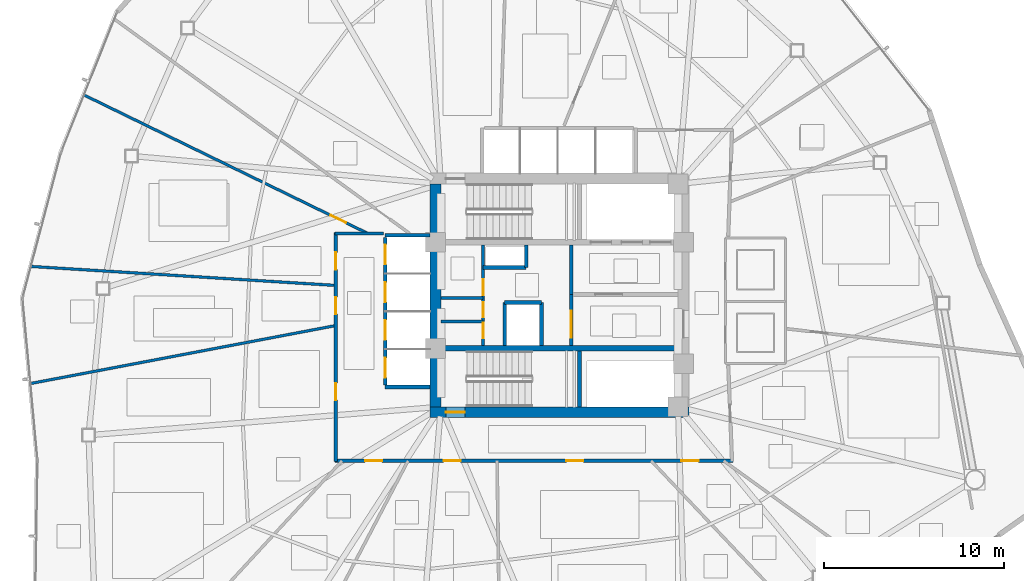
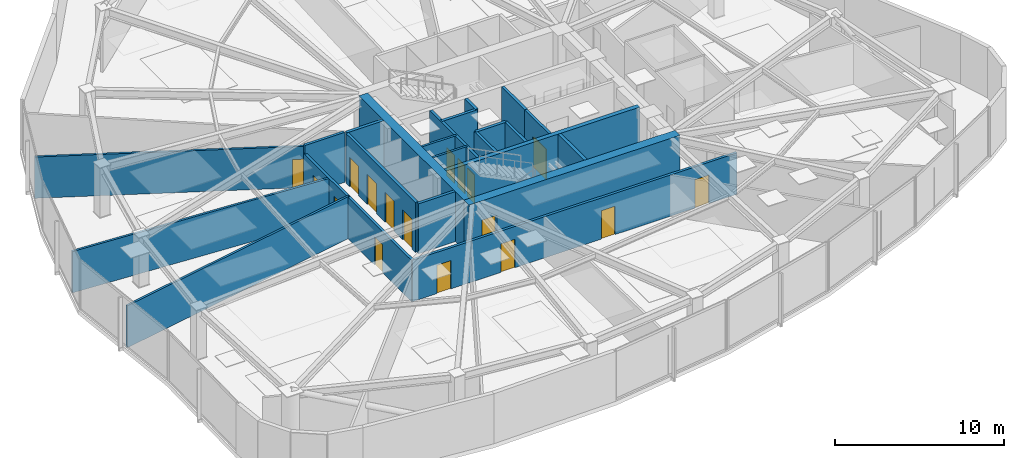
# One storey, part 11 of 17: 23 walls, 17 doors, 17 openings.
"""IFC4 building model written with IfcOpenShell, lengths in metres."""

from ifc_helpers import new_model, si_unit, direction, frame, frame_2d, origin, place, context, subcontext, project, spatial, rectangle, extrude, material, layer, layer_set, type_object, element, fill, save


model = new_model("IFC4")

# Units and contexts
model_context = context("Model", 3, precision=1e-05, world=origin(), true_north=direction((0.0, 1.0)))
body_context = subcontext(model_context, "Body", "Model", "MODEL_VIEW")
ifc_project = project(units=[si_unit("LENGTHUNIT", "METRE"), si_unit("AREAUNIT", "SQUARE_METRE"), si_unit("VOLUMEUNIT", "CUBIC_METRE"), si_unit("PLANEANGLEUNIT", "RADIAN"), si_unit("MASSUNIT", "GRAM", prefix="KILO")], contexts=[model_context])

# Site, building, storey
site_placement = place(None, origin())
site = spatial("IfcSite", under=ifc_project, at=site_placement, CompositionType="ELEMENT")
building_placement = place(site_placement, origin())
building = spatial("IfcBuilding", under=site, at=building_placement, Name="Tavelor Broadcast Tower", CompositionType="ELEMENT")
storey_placement = place(building_placement, frame((0.0, 0.0, 74.39990234375)))
storey = spatial("IfcBuildingStorey", under=building, at=storey_placement, Name="L17", CompositionType="ELEMENT", Elevation=74.39990234375)

# Wall, opening, door
ifc_material_1 = material(Name="Concrete C60/75", Category="concrete")
ifc_layer_1 = layer(ifc_material_1, 0.60009765625)
ifc_layer_set_1 = layer_set([ifc_layer_1], Name="Concrete C60/75")
wall_type_1 = type_object("IfcWallType", Name="Core Shear Wall 600 mm", PredefinedType="SHEAR", material=ifc_layer_set_1)
wall_1_placement = place(storey_placement, frame((42.800048828125, 38.5, 0.0), z_axis=(0.0, 0.0, 1.0), x_axis=(1.0, 0.0, 0.0)))
wall_1 = element("IfcWall", 1, at=wall_1_placement, inside=storey, type_object=wall_type_1, Name="L17 Central Core Shear Wall S", PredefinedType="SHEAR", context=body_context, shape_type="SweptSolid", body=[
    extrude(rectangle(XDim=14.39990234375, YDim=0.60009765625, at=frame_2d((7.199951171875, 0.0))), origin(), (0.0, 0.0, 1.0), 3.60009765625),
])
opening_1_placement = place(wall_1_placement, frame((0.8798828125, 0.0, 0.0)))
opening_1 = element("IfcOpeningElement", 2, at=opening_1_placement, cuts=wall_1, Name="Opening DR11", PredefinedType="OPENING", context=body_context, shape_type="SweptSolid", body=[
    extrude(rectangle(XDim=1.050048828125, YDim=2.199951171875, at=frame_2d((0.52490234375, 1.10009765625))), frame((0.0, 0.31005859375, 0.0), z_axis=(0.0, -1.0, 0.0), x_axis=(1.0, 0.0, 0.0)), (0.0, 0.0, 1.0), 0.6201171875),
])
ifc_material_2 = material(Name="Steel S355", Category="steel")
door_type_1 = type_object("IfcDoorType", Name="Stair Core Fire Escape Door 1050x2200", OperationType="NOTDEFINED", PredefinedType="DOOR", material=ifc_material_2)
door_1_placement = place(opening_1_placement, origin())
door_1 = element("IfcDoor", 3, at=door_1_placement, inside=storey, type_object=door_type_1, Name="L17 Stair ST2 Protected Exit Door", OperationType="SINGLE_SWING_RIGHT", OverallHeight=2.199951171875, OverallWidth=1.050048828125, PredefinedType="DOOR", context=body_context, shape_type="SweptSolid", body=[
    extrude(rectangle(XDim=1.050048828125, YDim=2.199951171875, at=frame_2d((0.52490234375, 1.10009765625))), frame((0.0, 0.02490234375, 0.0), z_axis=(0.0, -1.0, 0.0), x_axis=(1.0, 0.0, 0.0)), (0.0, 0.0, 1.0), 0.050048828125),
])
fill(opening_1, door_1)

# Walls
wall_2_placement = place(storey_placement, frame((43.10009765625, 38.800048828125, 0.0), z_axis=(0.0, 0.0, 1.0), x_axis=(0.0, 1.0, 0.0)))
element("IfcWall", 4, at=wall_2_placement, inside=storey, type_object=wall_type_1, Name="L17 Central Core Shear Wall W", PredefinedType="SHEAR", context=body_context, shape_type="SweptSolid", body=[
    extrude(rectangle(XDim=12.39990234375, YDim=0.60009765625, at=frame_2d((6.199951171875, 0.0))), origin(), (0.0, 0.0, 1.0), 3.60009765625),
])
ifc_layer_2 = layer(ifc_material_1, 0.300048828125)
ifc_layer_set_2 = layer_set([ifc_layer_2], Name="Concrete C60/75")
wall_type_2 = type_object("IfcWallType", Name="Core Spine Shear Wall 300 mm C60", PredefinedType="SHEAR", material=ifc_layer_set_2)
wall_3_placement = place(storey_placement, frame((43.39990234375, 42.050048828125, 0.0), z_axis=(0.0, 0.0, 1.0), x_axis=(1.0, 0.0, 0.0)))
element("IfcWall", 5, at=wall_3_placement, inside=storey, type_object=wall_type_2, Name="L17 Central Core Shear Wall SP2", PredefinedType="SHEAR", context=body_context, shape_type="SweptSolid", body=[
    extrude(rectangle(XDim=13.2001953125, YDim=0.300048828125, at=frame_2d((6.60009765625, 0.0))), origin(), (0.0, 0.0, 1.0), 3.60009765625),
])

# Wall, opening, door
ifc_material_3 = material(Name="Calcium Silicate Fire Board 180 mm", Category="gypsum")
ifc_layer_3 = layer(ifc_material_3, 0.179931640625)
ifc_layer_set_3 = layer_set([ifc_layer_3], Name="Calcium Silicate Fire Board 180 mm")
wall_type_3 = type_object("IfcWallType", Name="Fire-Rated Corridor Partition Wall 180 mm", PredefinedType="PARTITIONING", material=ifc_layer_set_3)
wall_4_placement = place(storey_placement, frame((50.64990234375, 42.199951171875, 0.0), z_axis=(0.0, 0.0, 1.0), x_axis=(0.0, 1.0, 0.0)))
wall_4 = element("IfcWall", 6, at=wall_4_placement, inside=storey, type_object=wall_type_3, Name="L17 Core Lobby Zoning Wall", PredefinedType="PARTITIONING", context=body_context, shape_type="SweptSolid", body=[
    extrude(rectangle(XDim=2.85009765625, YDim=0.179931640625, at=frame_2d((1.425048828125, 0.0))), origin(), (0.0, 0.0, 1.0), 3.60009765625),
])
opening_2_placement = place(wall_4_placement, frame((0.449951171875, 0.0, 0.0)))
opening_2 = element("IfcOpeningElement", 7, at=opening_2_placement, cuts=wall_4, Name="Opening DR14", PredefinedType="OPENING", context=body_context, shape_type="SweptSolid", body=[
    extrude(rectangle(XDim=1.5, YDim=2.199951171875, at=frame_2d((0.75, 1.10009765625))), frame((0.0, 0.10009765625, 0.0), z_axis=(0.0, -1.0, 0.0), x_axis=(1.0, 0.0, 0.0)), (0.0, 0.0, 1.0), 0.199951171875),
])
door_type_2 = type_object("IfcDoorType", Name="Firefighting Lobby Double Fire Door 1500x2200", OperationType="NOTDEFINED", PredefinedType="DOOR", material=ifc_material_2)
door_2_placement = place(opening_2_placement, origin())
door_2 = element("IfcDoor", 8, at=door_2_placement, inside=storey, type_object=door_type_2, Name="L17 Core West Lobby Double Fire Door", OperationType="SINGLE_SWING_RIGHT", OverallHeight=2.199951171875, OverallWidth=1.5, PredefinedType="DOOR", context=body_context, shape_type="SweptSolid", body=[
    extrude(rectangle(XDim=1.5, YDim=2.199951171875, at=frame_2d((0.75, 1.10009765625))), frame((0.0, 0.02490234375, 0.0), z_axis=(0.0, -1.0, 0.0), x_axis=(1.0, 0.0, 0.0)), (0.0, 0.0, 1.0), 0.050048828125),
])
fill(opening_2, door_2)

# Wall, openings, doors
wall_5_placement = place(storey_placement, frame((45.75, 42.199951171875, 0.0), z_axis=(0.0, 0.0, 1.0), x_axis=(0.0, 1.0, 0.0)))
wall_5 = element("IfcWall", 9, at=wall_5_placement, inside=storey, type_object=wall_type_3, Name="L17 Core West Service East Wall", PredefinedType="PARTITIONING", context=body_context, shape_type="SweptSolid", body=[
    extrude(rectangle(XDim=5.60009765625, YDim=0.179931640625, at=frame_2d((2.800048828125, 0.0))), origin(), (0.0, 0.0, 1.0), 3.60009765625),
])
opening_3_placement = place(wall_5_placement, frame((0.419921875, 0.0, 0.0)))
opening_3 = element("IfcOpeningElement", 10, at=opening_3_placement, cuts=wall_5, Name="Opening DR36", PredefinedType="OPENING", context=body_context, shape_type="SweptSolid", body=[
    extrude(rectangle(XDim=0.85009765625, YDim=2.050048828125, at=frame_2d((0.425048828125, 1.02490234375))), frame((0.0, 0.10009765625, 0.0), z_axis=(0.0, -1.0, 0.0), x_axis=(1.0, 0.0, 0.0)), (0.0, 0.0, 1.0), 0.199951171875),
])
opening_4_placement = place(wall_5_placement, frame((1.570068359375, 0.0, 0.0)))
opening_4 = element("IfcOpeningElement", 11, at=opening_4_placement, cuts=wall_5, Name="Opening DR36", PredefinedType="OPENING", context=body_context, shape_type="SweptSolid", body=[
    extrude(rectangle(XDim=0.85009765625, YDim=2.050048828125, at=frame_2d((0.425048828125, 1.02490234375))), frame((0.0, 0.10009765625, 0.0), z_axis=(0.0, -1.0, 0.0), x_axis=(1.0, 0.0, 0.0)), (0.0, 0.0, 1.0), 0.199951171875),
])
opening_5_placement = place(wall_5_placement, frame((2.800048828125, 0.0, 0.0)))
opening_5 = element("IfcOpeningElement", 12, at=opening_5_placement, cuts=wall_5, Name="Opening DR32", PredefinedType="OPENING", context=body_context, shape_type="SweptSolid", body=[
    extrude(rectangle(XDim=0.89990234375, YDim=2.050048828125, at=frame_2d((0.449951171875, 1.02490234375))), frame((0.0, 0.10009765625, 0.0), z_axis=(0.0, -1.0, 0.0), x_axis=(1.0, 0.0, 0.0)), (0.0, 0.0, 1.0), 0.199951171875),
])
ifc_material_4 = material(Name="Timber Solid Core Hardwood", Category="wood")
door_type_3 = type_object("IfcDoorType", Name="Accessible Washroom Door 900x2050", OperationType="NOTDEFINED", PredefinedType="DOOR", material=ifc_material_4)
door_3_placement = place(opening_5_placement, origin())
door_3 = element("IfcDoor", 13, at=door_3_placement, inside=storey, type_object=door_type_3, Name="L17 Core Accessible WC Door", OperationType="SINGLE_SWING_LEFT", OverallHeight=2.050048828125, OverallWidth=0.89990234375, PredefinedType="DOOR", context=body_context, shape_type="SweptSolid", body=[
    extrude(rectangle(XDim=0.89990234375, YDim=2.050048828125, at=frame_2d((0.449951171875, 1.02490234375))), frame((0.0, 0.02490234375, 0.0), z_axis=(0.0, -1.0, 0.0), x_axis=(1.0, 0.0, 0.0)), (0.0, 0.0, 1.0), 0.050048828125),
])
fill(opening_5, door_3)
door_type_4 = type_object("IfcDoorType", Name="Service Room Fire Door 850x2050", OperationType="NOTDEFINED", PredefinedType="DOOR", material=ifc_material_2)
door_4_placement = place(opening_3_placement, origin())
door_4 = element("IfcDoor", 14, at=door_4_placement, inside=storey, type_object=door_type_4, Name="L17 Core Medical Room Door", OperationType="SINGLE_SWING_LEFT", OverallHeight=2.050048828125, OverallWidth=0.85009765625, PredefinedType="DOOR", context=body_context, shape_type="SweptSolid", body=[
    extrude(rectangle(XDim=0.85009765625, YDim=2.050048828125, at=frame_2d((0.425048828125, 1.02490234375))), frame((0.0, 0.02490234375, 0.0), z_axis=(0.0, -1.0, 0.0), x_axis=(1.0, 0.0, 0.0)), (0.0, 0.0, 1.0), 0.050048828125),
])
fill(opening_3, door_4)
door_5_placement = place(opening_4_placement, origin())
door_5 = element("IfcDoor", 15, at=door_5_placement, inside=storey, type_object=door_type_4, Name="L17 Core Copy Room Door", OperationType="SINGLE_SWING_RIGHT", OverallHeight=2.050048828125, OverallWidth=0.85009765625, PredefinedType="DOOR", context=body_context, shape_type="SweptSolid", body=[
    extrude(rectangle(XDim=0.85009765625, YDim=2.050048828125, at=frame_2d((0.425048828125, 1.02490234375))), frame((0.0, 0.02490234375, 0.0), z_axis=(0.0, -1.0, 0.0), x_axis=(1.0, 0.0, 0.0)), (0.0, 0.0, 1.0), 0.050048828125),
])
fill(opening_4, door_5)

wall_6_placement = place(storey_placement, frame((59.64990234375, 35.800048828125, 0.0), z_axis=(0.0, 0.0, 1.0), x_axis=(-1.0, 0.0, 0.0)))
wall_6 = element("IfcWall", 16, at=wall_6_placement, inside=storey, type_object=wall_type_3, Name="L17 Corridor Compartment Wall 04", PredefinedType="PARTITIONING", context=body_context, shape_type="SweptSolid", body=[
    extrude(rectangle(XDim=22.14990234375, YDim=0.179931640625, at=frame_2d((11.074951171875, 0.0))), origin(), (0.0, 0.0, 1.0), 2.97509765625),
])
opening_6_placement = place(wall_6_placement, frame((1.9111328125, 0.0, 0.0)))
opening_6 = element("IfcOpeningElement", 17, at=opening_6_placement, cuts=wall_6, Name="Opening DR18", PredefinedType="OPENING", context=body_context, shape_type="SweptSolid", body=[
    extrude(rectangle(XDim=0.949951171875, YDim=2.050048828125, at=frame_2d((0.47509765625, 1.02490234375))), frame((0.0, 0.10009765625, 0.0), z_axis=(0.0, -1.0, 0.0), x_axis=(1.0, 0.0, 0.0)), (0.0, 0.0, 1.0), 0.199951171875),
])
opening_7_placement = place(wall_6_placement, frame((8.31396484375, 0.0, 0.0)))
opening_7 = element("IfcOpeningElement", 18, at=opening_7_placement, cuts=wall_6, Name="Opening DR18", PredefinedType="OPENING", context=body_context, shape_type="SweptSolid", body=[
    extrude(rectangle(XDim=0.949951171875, YDim=2.050048828125, at=frame_2d((0.47509765625, 1.02490234375))), frame((0.0, 0.10009765625, 0.0), z_axis=(0.0, -1.0, 0.0), x_axis=(1.0, 0.0, 0.0)), (0.0, 0.0, 1.0), 0.199951171875),
])
opening_8_placement = place(wall_6_placement, frame((15.14697265625, 0.0, 0.0)))
opening_8 = element("IfcOpeningElement", 19, at=opening_8_placement, cuts=wall_6, Name="Opening DR18", PredefinedType="OPENING", context=body_context, shape_type="SweptSolid", body=[
    extrude(rectangle(XDim=0.949951171875, YDim=2.050048828125, at=frame_2d((0.47509765625, 1.02490234375))), frame((0.0, 0.10009765625, 0.0), z_axis=(0.0, -1.0, 0.0), x_axis=(1.0, 0.0, 0.0)), (0.0, 0.0, 1.0), 0.199951171875),
])
opening_9_placement = place(wall_6_placement, frame((19.5166015625, 0.0, 0.0)))
opening_9 = element("IfcOpeningElement", 20, at=opening_9_placement, cuts=wall_6, Name="Opening DR18", PredefinedType="OPENING", context=body_context, shape_type="SweptSolid", body=[
    extrude(rectangle(XDim=0.949951171875, YDim=2.050048828125, at=frame_2d((0.47509765625, 1.02490234375))), frame((0.0, 0.10009765625, 0.0), z_axis=(0.0, -1.0, 0.0), x_axis=(1.0, 0.0, 0.0)), (0.0, 0.0, 1.0), 0.199951171875),
])
door_type_5 = type_object("IfcDoorType", Name="Corridor Rated Compartment Door 950x2050", OperationType="NOTDEFINED", PredefinedType="DOOR", material=ifc_material_4)
door_6_placement = place(opening_6_placement, origin())
door_6 = element("IfcDoor", 21, at=door_6_placement, inside=storey, type_object=door_type_5, Name="L17 Digital Publishing Workspace Door R0", OperationType="SINGLE_SWING_LEFT", OverallHeight=2.050048828125, OverallWidth=0.949951171875, PredefinedType="DOOR", context=body_context, shape_type="SweptSolid", body=[
    extrude(rectangle(XDim=0.949951171875, YDim=2.050048828125, at=frame_2d((0.47509765625, 1.02490234375))), frame((0.0, 0.02490234375, 0.0), z_axis=(0.0, -1.0, 0.0), x_axis=(1.0, 0.0, 0.0)), (0.0, 0.0, 1.0), 0.050048828125),
])
fill(opening_6, door_6)
door_7_placement = place(opening_7_placement, origin())
door_7 = element("IfcDoor", 22, at=door_7_placement, inside=storey, type_object=door_type_5, Name="L17 Broadcast Editorial Office Door R1", OperationType="SINGLE_SWING_RIGHT", OverallHeight=2.050048828125, OverallWidth=0.949951171875, PredefinedType="DOOR", context=body_context, shape_type="SweptSolid", body=[
    extrude(rectangle(XDim=0.949951171875, YDim=2.050048828125, at=frame_2d((0.47509765625, 1.02490234375))), frame((0.0, 0.02490234375, 0.0), z_axis=(0.0, -1.0, 0.0), x_axis=(1.0, 0.0, 0.0)), (0.0, 0.0, 1.0), 0.050048828125),
])
fill(opening_7, door_7)
door_8_placement = place(opening_8_placement, origin())
door_8 = element("IfcDoor", 23, at=door_8_placement, inside=storey, type_object=door_type_5, Name="L17 Investigative News Desk Door R2", OperationType="SINGLE_SWING_LEFT", OverallHeight=2.050048828125, OverallWidth=0.949951171875, PredefinedType="DOOR", context=body_context, shape_type="SweptSolid", body=[
    extrude(rectangle(XDim=0.949951171875, YDim=2.050048828125, at=frame_2d((0.47509765625, 1.02490234375))), frame((0.0, 0.02490234375, 0.0), z_axis=(0.0, -1.0, 0.0), x_axis=(1.0, 0.0, 0.0)), (0.0, 0.0, 1.0), 0.050048828125),
])
fill(opening_8, door_8)
door_9_placement = place(opening_9_placement, origin())
door_9 = element("IfcDoor", 24, at=door_9_placement, inside=storey, type_object=door_type_5, Name="L17 Syndication Legal Office Door R3", OperationType="SINGLE_SWING_RIGHT", OverallHeight=2.050048828125, OverallWidth=0.949951171875, PredefinedType="DOOR", context=body_context, shape_type="SweptSolid", body=[
    extrude(rectangle(XDim=0.949951171875, YDim=2.050048828125, at=frame_2d((0.47509765625, 1.02490234375))), frame((0.0, 0.02490234375, 0.0), z_axis=(0.0, -1.0, 0.0), x_axis=(1.0, 0.0, 0.0)), (0.0, 0.0, 1.0), 0.050048828125),
])
fill(opening_9, door_9)

wall_7_placement = place(storey_placement, frame((37.550048828125, 35.75, 0.0), z_axis=(0.0, 0.0, 1.0), x_axis=(0.0, 1.0, 0.0)))
wall_7 = element("IfcWall", 25, at=wall_7_placement, inside=storey, type_object=wall_type_3, Name="L17 Corridor Compartment Wall 05", PredefinedType="PARTITIONING", context=body_context, shape_type="SweptSolid", body=[
    extrude(rectangle(XDim=12.75, YDim=0.179931640625, at=frame_2d((6.375, 0.0))), origin(), (0.0, 0.0, 1.0), 2.97509765625),
])
opening_10_placement = place(wall_7_placement, frame((3.41650390625, 0.0, 0.0)))
opening_10 = element("IfcOpeningElement", 26, at=opening_10_placement, cuts=wall_7, Name="Opening DR18", PredefinedType="OPENING", context=body_context, shape_type="SweptSolid", body=[
    extrude(rectangle(XDim=0.949951171875, YDim=2.050048828125, at=frame_2d((0.47509765625, 1.02490234375))), frame((0.0, 0.10009765625, 0.0), z_axis=(0.0, -1.0, 0.0), x_axis=(1.0, 0.0, 0.0)), (0.0, 0.0, 1.0), 0.199951171875),
])
opening_11_placement = place(wall_7_placement, frame((8.204833984375, 0.0, 0.0)))
opening_11 = element("IfcOpeningElement", 27, at=opening_11_placement, cuts=wall_7, Name="Opening DR18", PredefinedType="OPENING", context=body_context, shape_type="SweptSolid", body=[
    extrude(rectangle(XDim=0.949951171875, YDim=2.050048828125, at=frame_2d((0.47509765625, 1.02490234375))), frame((0.0, 0.10009765625, 0.0), z_axis=(0.0, -1.0, 0.0), x_axis=(1.0, 0.0, 0.0)), (0.0, 0.0, 1.0), 0.199951171875),
])
opening_12_placement = place(wall_7_placement, frame((10.6865234375, 0.0, 0.0)))
opening_12 = element("IfcOpeningElement", 28, at=opening_12_placement, cuts=wall_7, Name="Opening DR18", PredefinedType="OPENING", context=body_context, shape_type="SweptSolid", body=[
    extrude(rectangle(XDim=0.949951171875, YDim=2.050048828125, at=frame_2d((0.47509765625, 1.02490234375))), frame((0.0, 0.10009765625, 0.0), z_axis=(0.0, -1.0, 0.0), x_axis=(1.0, 0.0, 0.0)), (0.0, 0.0, 1.0), 0.199951171875),
])
door_10_placement = place(opening_10_placement, origin())
door_10 = element("IfcDoor", 29, at=door_10_placement, inside=storey, type_object=door_type_5, Name="L17 International Bureau Office Door R4", OperationType="SINGLE_SWING_LEFT", OverallHeight=2.050048828125, OverallWidth=0.949951171875, PredefinedType="DOOR", context=body_context, shape_type="SweptSolid", body=[
    extrude(rectangle(XDim=0.949951171875, YDim=2.050048828125, at=frame_2d((0.47509765625, 1.02490234375))), frame((0.0, 0.02490234375, 0.0), z_axis=(0.0, -1.0, 0.0), x_axis=(1.0, 0.0, 0.0)), (0.0, 0.0, 1.0), 0.050048828125),
])
fill(opening_10, door_10)
door_11_placement = place(opening_11_placement, origin())
door_11 = element("IfcDoor", 30, at=door_11_placement, inside=storey, type_object=door_type_5, Name="L17 Documentary Planning Office Door R5", OperationType="SINGLE_SWING_RIGHT", OverallHeight=2.050048828125, OverallWidth=0.949951171875, PredefinedType="DOOR", context=body_context, shape_type="SweptSolid", body=[
    extrude(rectangle(XDim=0.949951171875, YDim=2.050048828125, at=frame_2d((0.47509765625, 1.02490234375))), frame((0.0, 0.02490234375, 0.0), z_axis=(0.0, -1.0, 0.0), x_axis=(1.0, 0.0, 0.0)), (0.0, 0.0, 1.0), 0.050048828125),
])
fill(opening_11, door_11)
door_12_placement = place(opening_12_placement, origin())
door_12 = element("IfcDoor", 31, at=door_12_placement, inside=storey, type_object=door_type_5, Name="L17 Digital Publishing Workspace Door R6", OperationType="SINGLE_SWING_LEFT", OverallHeight=2.050048828125, OverallWidth=0.949951171875, PredefinedType="DOOR", context=body_context, shape_type="SweptSolid", body=[
    extrude(rectangle(XDim=0.949951171875, YDim=2.050048828125, at=frame_2d((0.47509765625, 1.02490234375))), frame((0.0, 0.02490234375, 0.0), z_axis=(0.0, -1.0, 0.0), x_axis=(1.0, 0.0, 0.0)), (0.0, 0.0, 1.0), 0.050048828125),
])
fill(opening_12, door_12)

# Walls
wall_8_placement = place(storey_placement, frame((37.5, 48.449951171875, 0.0), z_axis=(0.0, 0.0, 1.0), x_axis=(1.0, 0.0, 0.0)))
element("IfcWall", 32, at=wall_8_placement, inside=storey, type_object=wall_type_3, Name="L17 Corridor Compartment Wall 06", PredefinedType="PARTITIONING", context=body_context, shape_type="SweptSolid", body=[
    extrude(rectangle(XDim=2.699951171875, YDim=0.179931640625, at=frame_2d((1.35009765625, 0.0))), origin(), (0.0, 0.0, 1.0), 3.60009765625),
])
ifc_material_5 = material(Name="Gypsum Acoustic Plasterboard 150 mm", Category="gypsum")
ifc_layer_4 = layer(ifc_material_5, 0.14990234375)
ifc_layer_set_4 = layer_set([ifc_layer_4], Name="Gypsum Acoustic Plasterboard 150 mm")
wall_type_4 = type_object("IfcWallType", Name="Interior Acoustic Partition Wall 150 mm", PredefinedType="PARTITIONING", material=ifc_layer_set_4)
for number, where, z_axis, x_axis, name in (
    (33, (43.39990234375, 43.550048828125, 0.0), (0.0, 0.0, 1.0), (1.0, 0.0, 0.0), "L17 Core Split Wall B1"),
    (34, (43.39990234375, 44.85009765625, 0.0), (0.0, 0.0, 1.0), (1.0, 0.0, 0.0), "L17 Core Split Wall B2"),
):
    element("IfcWall", number, at=place(storey_placement, frame(where, z_axis=z_axis, x_axis=x_axis)), inside=storey, type_object=wall_type_4, Name=name, PredefinedType="PARTITIONING", context=body_context, shape_type="SweptSolid", body=[
        extrude(rectangle(XDim=2.35009765625, YDim=0.14990234375, at=frame_2d((1.175048828125, 0.0))), origin(), (0.0, 0.0, 1.0), 3.60009765625),
    ])

# Wall, opening, door
wall_9_placement = place(storey_placement, frame((39.326416015625, 48.449951171875, 0.0), z_axis=(0.0, 0.0, 1.0), x_axis=(-0.898795545666, 0.438368072619, 0.0)))
wall_9 = element("IfcWall", 35, at=wall_9_placement, inside=storey, type_object=wall_type_4, Name="L17 Radial Compartment Wall 01", PredefinedType="PARTITIONING", context=body_context, shape_type="SweptSolid", body=[
    extrude(rectangle(XDim=17.574951171875, YDim=0.14990234375, at=frame_2d((8.78759765625, 0.0))), origin(), (0.0, 0.0, 1.0), 2.97509765625),
])
opening_13_placement = place(wall_9_placement, frame((1.35009765625, 0.0, 0.0)))
opening_13 = element("IfcOpeningElement", 36, at=opening_13_placement, cuts=wall_9, Name="Opening DR18", PredefinedType="OPENING", context=body_context, shape_type="SweptSolid", body=[
    extrude(rectangle(XDim=0.949951171875, YDim=2.050048828125, at=frame_2d((0.47509765625, 1.02490234375))), frame((0.0, 0.0849609375, 0.0), z_axis=(0.0, -1.0, 0.0), x_axis=(1.0, 0.0, 0.0)), (0.0, 0.0, 1.0), 0.169921875),
])
door_13_placement = place(opening_13_placement, origin())
door_13 = element("IfcDoor", 37, at=door_13_placement, inside=storey, type_object=door_type_5, Name="L17 Suite Connecting Door 7", OperationType="SINGLE_SWING_RIGHT", OverallHeight=2.050048828125, OverallWidth=0.949951171875, PredefinedType="DOOR", context=body_context, shape_type="SweptSolid", body=[
    extrude(rectangle(XDim=0.949951171875, YDim=2.050048828125, at=frame_2d((0.47509765625, 1.02490234375))), frame((0.0, 0.02490234375, 0.0), z_axis=(0.0, -1.0, 0.0), x_axis=(1.0, 0.0, 0.0)), (0.0, 0.0, 1.0), 0.050048828125),
])
fill(opening_13, door_13)

# Walls
wall_10_placement = place(storey_placement, frame((37.550048828125, 45.552001953125, 0.0), z_axis=(0.0, 0.0, 1.0), x_axis=(-0.998060836773, 0.062246012719, 0.0)))
element("IfcWall", 38, at=wall_10_placement, inside=storey, type_object=wall_type_4, Name="L17 Radial Compartment Wall 02", PredefinedType="PARTITIONING", context=body_context, shape_type="SweptSolid", body=[
    extrude(rectangle(XDim=17.006591796875, YDim=0.14990234375, at=frame_2d((8.50341796875, 0.0))), origin(), (0.0, 0.0, 1.0), 2.97509765625),
])
wall_11_placement = place(storey_placement, frame((37.550048828125, 43.3193359375, 0.0), z_axis=(0.0, 0.0, 1.0), x_axis=(-0.98244116135, -0.186572678831, 0.0)))
element("IfcWall", 39, at=wall_11_placement, inside=storey, type_object=wall_type_4, Name="L17 Radial Compartment Wall 03", PredefinedType="PARTITIONING", context=body_context, shape_type="SweptSolid", body=[
    extrude(rectangle(XDim=17.304443359375, YDim=0.14990234375, at=frame_2d((8.65234375, 0.0))), origin(), (0.0, 0.0, 1.0), 3.025146484375),
])

# Wall, openings, doors
ifc_material_6 = material(Name="Concrete Blockwork 200 mm", Category="masonry")
ifc_layer_5 = layer(ifc_material_6, 0.199951171875)
ifc_layer_set_5 = layer_set([ifc_layer_5], Name="Concrete Blockwork 200 mm")
wall_type_5 = type_object("IfcWallType", Name="Lift Hoistway Rated Front Wall 200 mm", PredefinedType="PARTITIONING", material=ifc_layer_set_5)
wall_12_placement = place(storey_placement, frame((40.300048828125, 40.02001953125, 0.0), z_axis=(0.0, 0.0, 1.0), x_axis=(0.0, 1.0, 0.0)))
wall_12 = element("IfcWall", 40, at=wall_12_placement, inside=storey, type_object=wall_type_5, Name="L17 Low-Rise Lift Hoistway Front Wall", PredefinedType="PARTITIONING", context=body_context, shape_type="SweptSolid", body=[
    extrude(rectangle(XDim=8.2099609375, YDim=0.199951171875, at=frame_2d((4.10498046875, 0.0))), origin(), (0.0, 0.0, 1.0), 3.60009765625),
])
opening_14_placement = place(wall_12_placement, frame((0.405029296875, 0.0, 0.0)))
opening_14 = element("IfcOpeningElement", 41, at=opening_14_placement, cuts=wall_12, Name="Opening LD01", PredefinedType="OPENING", context=body_context, shape_type="SweptSolid", body=[
    extrude(rectangle(XDim=1.10009765625, YDim=2.14990234375, at=frame_2d((0.550048828125, 1.074951171875))), frame((0.0, 0.10986328125, 0.0), z_axis=(0.0, -1.0, 0.0), x_axis=(1.0, 0.0, 0.0)), (0.0, 0.0, 1.0), 0.219970703125),
])
opening_15_placement = place(wall_12_placement, frame((2.5048828125, 0.0, 0.0)))
opening_15 = element("IfcOpeningElement", 42, at=opening_15_placement, cuts=wall_12, Name="Opening LD01", PredefinedType="OPENING", context=body_context, shape_type="SweptSolid", body=[
    extrude(rectangle(XDim=1.10009765625, YDim=2.14990234375, at=frame_2d((0.550048828125, 1.074951171875))), frame((0.0, 0.10986328125, 0.0), z_axis=(0.0, -1.0, 0.0), x_axis=(1.0, 0.0, 0.0)), (0.0, 0.0, 1.0), 0.219970703125),
])
opening_16_placement = place(wall_12_placement, frame((4.60498046875, 0.0, 0.0)))
opening_16 = element("IfcOpeningElement", 43, at=opening_16_placement, cuts=wall_12, Name="Opening LD01", PredefinedType="OPENING", context=body_context, shape_type="SweptSolid", body=[
    extrude(rectangle(XDim=1.10009765625, YDim=2.14990234375, at=frame_2d((0.550048828125, 1.074951171875))), frame((0.0, 0.10986328125, 0.0), z_axis=(0.0, -1.0, 0.0), x_axis=(1.0, 0.0, 0.0)), (0.0, 0.0, 1.0), 0.219970703125),
])
opening_17_placement = place(wall_12_placement, frame((6.705078125, 0.0, 0.0)))
opening_17 = element("IfcOpeningElement", 44, at=opening_17_placement, cuts=wall_12, Name="Opening LD01", PredefinedType="OPENING", context=body_context, shape_type="SweptSolid", body=[
    extrude(rectangle(XDim=1.10009765625, YDim=2.14990234375, at=frame_2d((0.550048828125, 1.074951171875))), frame((0.0, 0.10986328125, 0.0), z_axis=(0.0, -1.0, 0.0), x_axis=(1.0, 0.0, 0.0)), (0.0, 0.0, 1.0), 0.219970703125),
])
ifc_material_7 = material(Name="Brushed Stainless Steel", Category="steel")
door_type_6 = type_object("IfcDoorType", Name="Passenger Lift Sliding Landing Door 1100x2150", OperationType="NOTDEFINED", PredefinedType="DOOR", material=ifc_material_7)
door_14_placement = place(opening_14_placement, origin())
door_14 = element("IfcDoor", 45, at=door_14_placement, inside=storey, type_object=door_type_6, Name="L17 Lift PLL1 Sliding Landing Door", OperationType="SLIDING_TO_LEFT", OverallHeight=2.14990234375, OverallWidth=1.10009765625, PredefinedType="DOOR", context=body_context, shape_type="SweptSolid", body=[
    extrude(rectangle(XDim=1.10009765625, YDim=2.14990234375, at=frame_2d((0.550048828125, 1.074951171875))), frame((0.0, 0.02490234375, 0.0), z_axis=(0.0, -1.0, 0.0), x_axis=(1.0, 0.0, 0.0)), (0.0, 0.0, 1.0), 0.050048828125),
])
fill(opening_14, door_14)
door_15_placement = place(opening_15_placement, origin())
door_15 = element("IfcDoor", 46, at=door_15_placement, inside=storey, type_object=door_type_6, Name="L17 Lift PLL2 Sliding Landing Door", OperationType="SLIDING_TO_RIGHT", OverallHeight=2.14990234375, OverallWidth=1.10009765625, PredefinedType="DOOR", context=body_context, shape_type="SweptSolid", body=[
    extrude(rectangle(XDim=1.10009765625, YDim=2.14990234375, at=frame_2d((0.550048828125, 1.074951171875))), frame((0.0, 0.02490234375, 0.0), z_axis=(0.0, -1.0, 0.0), x_axis=(1.0, 0.0, 0.0)), (0.0, 0.0, 1.0), 0.050048828125),
])
fill(opening_15, door_15)
door_16_placement = place(opening_16_placement, origin())
door_16 = element("IfcDoor", 47, at=door_16_placement, inside=storey, type_object=door_type_6, Name="L17 Lift PLL3 Sliding Landing Door", OperationType="SLIDING_TO_LEFT", OverallHeight=2.14990234375, OverallWidth=1.10009765625, PredefinedType="DOOR", context=body_context, shape_type="SweptSolid", body=[
    extrude(rectangle(XDim=1.10009765625, YDim=2.14990234375, at=frame_2d((0.550048828125, 1.074951171875))), frame((0.0, 0.02490234375, 0.0), z_axis=(0.0, -1.0, 0.0), x_axis=(1.0, 0.0, 0.0)), (0.0, 0.0, 1.0), 0.050048828125),
])
fill(opening_16, door_16)
door_17_placement = place(opening_17_placement, origin())
door_17 = element("IfcDoor", 48, at=door_17_placement, inside=storey, type_object=door_type_6, Name="L17 Lift PLL4 Sliding Landing Door", OperationType="SLIDING_TO_RIGHT", OverallHeight=2.14990234375, OverallWidth=1.10009765625, PredefinedType="DOOR", context=body_context, shape_type="SweptSolid", body=[
    extrude(rectangle(XDim=1.10009765625, YDim=2.14990234375, at=frame_2d((0.550048828125, 1.074951171875))), frame((0.0, 0.02490234375, 0.0), z_axis=(0.0, -1.0, 0.0), x_axis=(1.0, 0.0, 0.0)), (0.0, 0.0, 1.0), 0.050048828125),
])
fill(opening_17, door_17)

# Walls
wall_13_placement = place(storey_placement, frame((49.0, 42.199951171875, 0.0), z_axis=(0.0, 0.0, 1.0), x_axis=(0.0, 1.0, 0.0)))
element("IfcWall", 49, at=wall_13_placement, inside=storey, type_object=wall_type_5, Name="L17 Mid-Rise Lift PLM4 Hoistway Front Wall", PredefinedType="PARTITIONING", context=body_context, shape_type="SweptSolid", body=[
    extrude(rectangle(XDim=2.400146484375, YDim=0.199951171875, at=frame_2d((1.2001953125, 0.0))), origin(), (0.0, 0.0, 1.0), 3.60009765625),
])
ifc_layer_6 = layer(ifc_material_6, 0.199951171875)
ifc_layer_set_6 = layer_set([ifc_layer_6], Name="Concrete Blockwork 200 mm")
wall_type_6 = type_object("IfcWallType", Name="Lift and Riser Shaft Enclosure Wall 200 mm", PredefinedType="PARTITIONING", material=ifc_layer_set_6)
for number, where, z_axis, x_axis, name in (
    (50, (40.300048828125, 39.89990234375, 0.0), (0.0, 0.0, 1.0), (1.0, 0.0, 0.0), "L17 Low-Rise Lift Shaft South Wall"),
    (51, (40.300048828125, 48.35009765625, 0.0), (0.0, 0.0, 1.0), (1.0, 0.0, 0.0), "L17 Low-Rise Lift Shaft North Wall"),
):
    element("IfcWall", number, at=place(storey_placement, frame(where, z_axis=z_axis, x_axis=x_axis)), inside=storey, type_object=wall_type_6, Name=name, PredefinedType="PARTITIONING", context=body_context, shape_type="SweptSolid", body=[
        extrude(rectangle(XDim=2.5, YDim=0.199951171875, at=frame_2d((1.25, 0.0))), origin(), (0.0, 0.0, 1.0), 3.60009765625),
    ])
wall_14_placement = place(storey_placement, frame((45.75, 46.550048828125, 0.0), z_axis=(0.0, 0.0, 1.0), x_axis=(1.0, 0.0, 0.0)))
element("IfcWall", 52, at=wall_14_placement, inside=storey, type_object=wall_type_6, Name="L17 Riser Shaft South Wall", PredefinedType="PARTITIONING", context=body_context, shape_type="SweptSolid", body=[
    extrude(rectangle(XDim=2.39990234375, YDim=0.199951171875, at=frame_2d((1.199951171875, 0.0))), origin(), (0.0, 0.0, 1.0), 3.60009765625),
])
wall_15_placement = place(storey_placement, frame((48.14990234375, 46.550048828125, 0.0), z_axis=(0.0, 0.0, 1.0), x_axis=(0.0, 1.0, 0.0)))
element("IfcWall", 53, at=wall_15_placement, inside=storey, type_object=wall_type_6, Name="L17 Riser Shaft East Wall", PredefinedType="PARTITIONING", context=body_context, shape_type="SweptSolid", body=[
    extrude(rectangle(XDim=1.25, YDim=0.199951171875, at=frame_2d((0.625, 0.0))), origin(), (0.0, 0.0, 1.0), 3.60009765625),
])
wall_16_placement = place(storey_placement, frame((46.949951171875, 42.199951171875, 0.0), z_axis=(0.0, 0.0, 1.0), x_axis=(0.0, 1.0, 0.0)))
element("IfcWall", 54, at=wall_16_placement, inside=storey, type_object=wall_type_6, Name="L17 Mid-Rise Lift PLM4 West Wall", PredefinedType="PARTITIONING", context=body_context, shape_type="SweptSolid", body=[
    extrude(rectangle(XDim=2.400146484375, YDim=0.199951171875, at=frame_2d((1.2001953125, 0.0))), origin(), (0.0, 0.0, 1.0), 3.60009765625),
])
wall_17_placement = place(storey_placement, frame((46.949951171875, 44.60009765625, 0.0), z_axis=(0.0, 0.0, 1.0), x_axis=(1.0, 0.0, 0.0)))
element("IfcWall", 55, at=wall_17_placement, inside=storey, type_object=wall_type_6, Name="L17 Mid-Rise Lift PLM4 North Wall", PredefinedType="PARTITIONING", context=body_context, shape_type="SweptSolid", body=[
    extrude(rectangle(XDim=2.050048828125, YDim=0.199951171875, at=frame_2d((1.02490234375, 0.0))), origin(), (0.0, 0.0, 1.0), 3.60009765625),
])
wall_18_placement = place(storey_placement, frame((50.64990234375, 45.050048828125, 0.0), z_axis=(0.0, 0.0, 1.0), x_axis=(0.0, 1.0, 0.0)))
element("IfcWall", 56, at=wall_18_placement, inside=storey, type_object=wall_type_6, Name="L17 Firefighting Lobby West Wall", PredefinedType="PARTITIONING", context=body_context, shape_type="SweptSolid", body=[
    extrude(rectangle(XDim=2.75, YDim=0.199951171875, at=frame_2d((1.375, 0.0))), origin(), (0.0, 0.0, 1.0), 3.60009765625),
])
ifc_material_8 = material(Name="Concrete C40/50", Category="concrete")
ifc_layer_7 = layer(ifc_material_8, 0.219970703125)
ifc_layer_set_7 = layer_set([ifc_layer_7], Name="Concrete C40/50")
wall_type_7 = type_object("IfcWallType", Name="Structural Stairwell Shear Wall 220 mm", PredefinedType="SHEAR", material=ifc_layer_set_7)
wall_19_placement = place(storey_placement, frame((51.110107421875, 38.800048828125, 0.0), z_axis=(0.0, 0.0, 1.0), x_axis=(0.0, 1.0, 0.0)))
element("IfcWall", 57, at=wall_19_placement, inside=storey, type_object=wall_type_7, Name="L17 Stair ST2 Structural Shaft Wall", PredefinedType="SHEAR", context=body_context, shape_type="SweptSolid", body=[
    extrude(rectangle(XDim=3.099853515625, YDim=0.219970703125, at=frame_2d((1.5498046875, 0.0))), origin(), (0.0, 0.0, 1.0), 3.60009765625),
])

save(model, "model.ifc")
